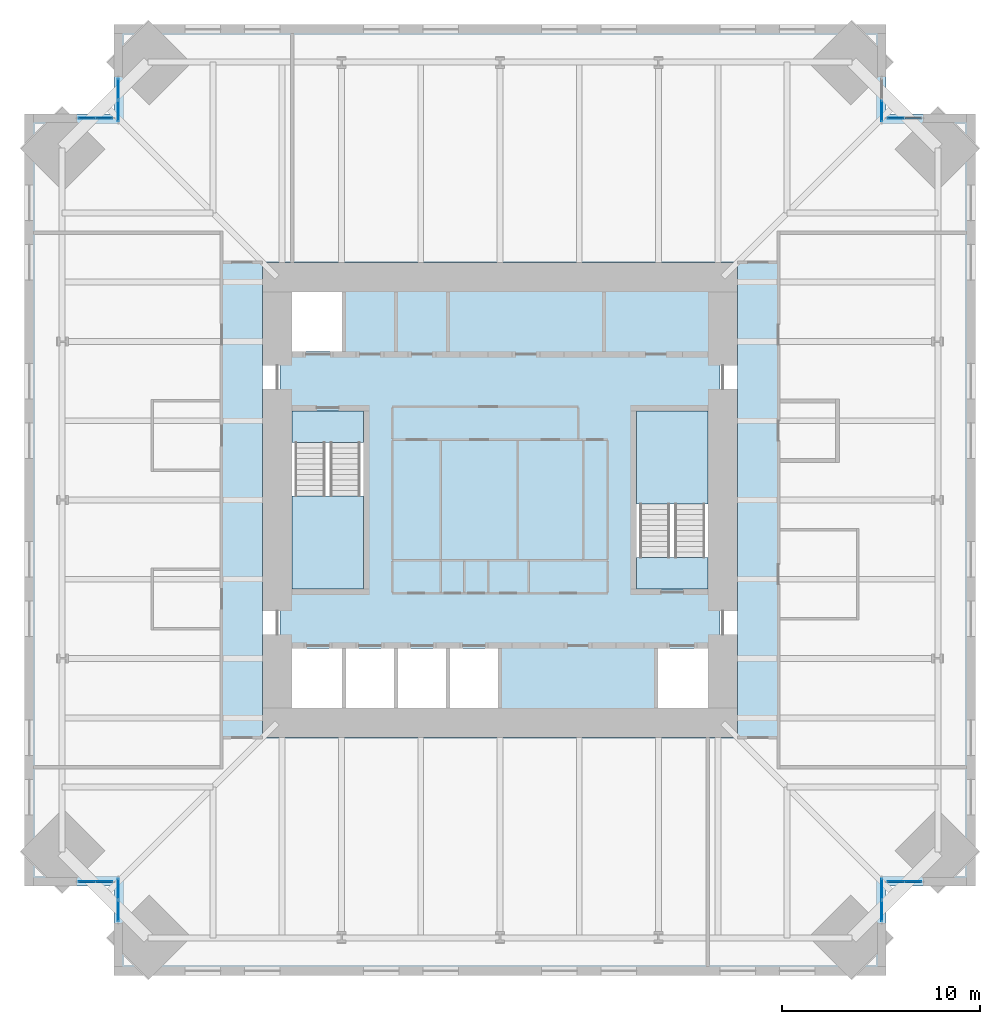
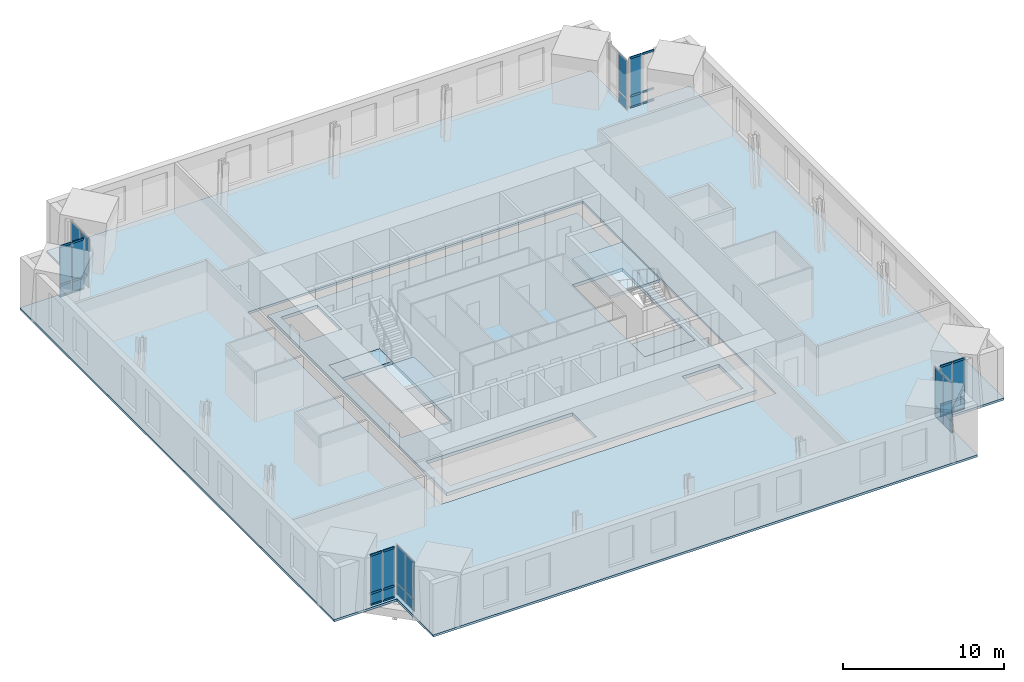
# One storey, part 9 of 15: 28 plates, 24 members, 6 slabs, 10 elements without a shape of their own.
"""IFC4 building model written with IfcOpenShell, lengths in metres."""

from ifc_helpers import new_model, si_unit, direction, frame, origin, origin_2d, place, context, subcontext, project, spatial, polyline, rectangle, hollow_rectangle, outline, extrude, material, layer, layer_set, material_profile, profile_set, type_object, element, aggregate, save


model = new_model("IFC4")

# Units and contexts
model_context = context("Model", 3, precision=1e-05, world=origin(), true_north=direction((0.0, 1.0)))
body_context = subcontext(model_context, "Body", "Model", "MODEL_VIEW")
ifc_project = project(units=[si_unit("LENGTHUNIT", "METRE"), si_unit("AREAUNIT", "SQUARE_METRE"), si_unit("VOLUMEUNIT", "CUBIC_METRE"), si_unit("PLANEANGLEUNIT", "RADIAN"), si_unit("MASSUNIT", "GRAM", prefix="KILO")], contexts=[model_context])

# Site, building, storey
site_placement = place(None, origin())
site = spatial("IfcSite", under=ifc_project, at=site_placement, CompositionType="ELEMENT")
building_placement = place(site_placement, origin())
building = spatial("IfcBuilding", under=site, at=building_placement, Name="Peilmerk Tower", CompositionType="ELEMENT")
storey_placement = place(building_placement, frame((0.0, 0.0, 217.800048828125)))
storey = spatial("IfcBuildingStorey", under=building, at=storey_placement, Name="L47", CompositionType="ELEMENT", Elevation=217.800048828125)

# Curtain wall, members
ifc_material_1 = material(Name="Aluminium stick curtain wall", Category="aluminium")
curtain_wall_type = type_object("IfcCurtainWallType", Name="CW4 stick curtain wall, 2250 module", PredefinedType="NOTDEFINED", material=ifc_material_1)
curtain_wall_1_placement = place(storey_placement, origin())
curtain_wall_1 = element("IfcCurtainWall", 1, at=curtain_wall_1_placement, inside=storey, type_object=curtain_wall_type, Name="Curtain wall CW4 NEB L47", PredefinedType="NOTDEFINED")
ifc_material_2 = material(Name="Aluminium EN AW-6063 T6", Category="aluminium")
ifc_material_profile = material_profile(ifc_material_2, hollow_rectangle(XDim=0.06494140625, YDim=0.14990234375, WallThickness=0.0029296875, at=origin_2d()), Name="AL 150x65x3")
ifc_profile_set = profile_set([ifc_material_profile], Name="Aluminium EN AW-6063 T6")
member_type = type_object("IfcMemberType", Name="CW4-T AL 150x65x3 transom", PredefinedType="USERDEFINED", material=ifc_profile_set)
member_1_placement = place(storey_placement, frame((19.56494140625, 19.27490234375, 0.032470703125), z_axis=(1.0, 0.0, 0.0), x_axis=(0.0, 1.0, 0.0)))
member_1 = element("IfcMember", 2, at=member_1_placement, type_object=member_type, Name="CW4 transom 1.1", ObjectType="TRANSOM", PredefinedType="USERDEFINED", context=body_context, shape_type="SweptSolid", body=[
    extrude(hollow_rectangle(XDim=0.06494140625, YDim=0.14990234375, WallThickness=0.0029296875, at=origin_2d()), origin(), (0.0, 0.0, 1.0), 0.82177734375),
])
member_2_placement = place(storey_placement, frame((19.56494140625, 19.27490234375, 0.89990234375), z_axis=(1.0, 0.0, 0.0), x_axis=(0.0, 1.0, 0.0)))
member_2 = element("IfcMember", 3, at=member_2_placement, type_object=member_type, Name="CW4 transom 1.2", ObjectType="TRANSOM", PredefinedType="USERDEFINED", context=body_context, shape_type="SweptSolid", body=[
    extrude(hollow_rectangle(XDim=0.06494140625, YDim=0.14990234375, WallThickness=0.0029296875, at=origin_2d()), origin(), (0.0, 0.0, 1.0), 0.82177734375),
])
member_3_placement = place(storey_placement, frame((19.56494140625, 19.27490234375, 3.79736328125), z_axis=(1.0, 0.0, 0.0), x_axis=(0.0, 1.0, 0.0)))
member_3 = element("IfcMember", 4, at=member_3_placement, type_object=member_type, Name="CW4 transom 1.3", ObjectType="TRANSOM", PredefinedType="USERDEFINED", context=body_context, shape_type="SweptSolid", body=[
    extrude(hollow_rectangle(XDim=0.06494140625, YDim=0.14990234375, WallThickness=0.0029296875, at=origin_2d()), origin(), (0.0, 0.0, 1.0), 0.82177734375),
])
member_4_placement = place(storey_placement, frame((20.451904296875, 19.27490234375, 0.032470703125), z_axis=(1.0, 0.0, 0.0), x_axis=(0.0, 1.0, 0.0)))
member_4 = element("IfcMember", 5, at=member_4_placement, type_object=member_type, Name="CW4 transom 2.1", ObjectType="TRANSOM", PredefinedType="USERDEFINED", context=body_context, shape_type="SweptSolid", body=[
    extrude(hollow_rectangle(XDim=0.06494140625, YDim=0.14990234375, WallThickness=0.0029296875, at=origin_2d()), origin(), (0.0, 0.0, 1.0), 0.82177734375),
])
member_5_placement = place(storey_placement, frame((20.451904296875, 19.27490234375, 0.89990234375), z_axis=(1.0, 0.0, 0.0), x_axis=(0.0, 1.0, 0.0)))
member_5 = element("IfcMember", 6, at=member_5_placement, type_object=member_type, Name="CW4 transom 2.2", ObjectType="TRANSOM", PredefinedType="USERDEFINED", context=body_context, shape_type="SweptSolid", body=[
    extrude(hollow_rectangle(XDim=0.06494140625, YDim=0.14990234375, WallThickness=0.0029296875, at=origin_2d()), origin(), (0.0, 0.0, 1.0), 0.82177734375),
])
member_6_placement = place(storey_placement, frame((20.451904296875, 19.27490234375, 3.79736328125), z_axis=(1.0, 0.0, 0.0), x_axis=(0.0, 1.0, 0.0)))
member_6 = element("IfcMember", 7, at=member_6_placement, type_object=member_type, Name="CW4 transom 2.3", ObjectType="TRANSOM", PredefinedType="USERDEFINED", context=body_context, shape_type="SweptSolid", body=[
    extrude(hollow_rectangle(XDim=0.06494140625, YDim=0.14990234375, WallThickness=0.0029296875, at=origin_2d()), origin(), (0.0, 0.0, 1.0), 0.82177734375),
])

curtain_wall_2_placement = place(storey_placement, origin())
curtain_wall_2 = element("IfcCurtainWall", 8, at=curtain_wall_2_placement, inside=storey, type_object=curtain_wall_type, Name="Curtain wall CW4 SEB L47", PredefinedType="NOTDEFINED")
member_7_placement = place(storey_placement, frame((19.56494140625, -19.27490234375, 0.032470703125), z_axis=(1.0, 0.0, 0.0), x_axis=(0.0, 1.0, 0.0)))
member_7 = element("IfcMember", 9, at=member_7_placement, type_object=member_type, Name="CW4 transom 1.1", ObjectType="TRANSOM", PredefinedType="USERDEFINED", context=body_context, shape_type="SweptSolid", body=[
    extrude(hollow_rectangle(XDim=0.06494140625, YDim=0.14990234375, WallThickness=0.0029296875, at=origin_2d()), origin(), (0.0, 0.0, 1.0), 0.82177734375),
])
member_8_placement = place(storey_placement, frame((19.56494140625, -19.27490234375, 0.89990234375), z_axis=(1.0, 0.0, 0.0), x_axis=(0.0, 1.0, 0.0)))
member_8 = element("IfcMember", 10, at=member_8_placement, type_object=member_type, Name="CW4 transom 1.2", ObjectType="TRANSOM", PredefinedType="USERDEFINED", context=body_context, shape_type="SweptSolid", body=[
    extrude(hollow_rectangle(XDim=0.06494140625, YDim=0.14990234375, WallThickness=0.0029296875, at=origin_2d()), origin(), (0.0, 0.0, 1.0), 0.82177734375),
])
member_9_placement = place(storey_placement, frame((19.56494140625, -19.27490234375, 3.79736328125), z_axis=(1.0, 0.0, 0.0), x_axis=(0.0, 1.0, 0.0)))
member_9 = element("IfcMember", 11, at=member_9_placement, type_object=member_type, Name="CW4 transom 1.3", ObjectType="TRANSOM", PredefinedType="USERDEFINED", context=body_context, shape_type="SweptSolid", body=[
    extrude(hollow_rectangle(XDim=0.06494140625, YDim=0.14990234375, WallThickness=0.0029296875, at=origin_2d()), origin(), (0.0, 0.0, 1.0), 0.82177734375),
])
member_10_placement = place(storey_placement, frame((20.451904296875, -19.27490234375, 0.032470703125), z_axis=(1.0, 0.0, 0.0), x_axis=(0.0, 1.0, 0.0)))
member_10 = element("IfcMember", 12, at=member_10_placement, type_object=member_type, Name="CW4 transom 2.1", ObjectType="TRANSOM", PredefinedType="USERDEFINED", context=body_context, shape_type="SweptSolid", body=[
    extrude(hollow_rectangle(XDim=0.06494140625, YDim=0.14990234375, WallThickness=0.0029296875, at=origin_2d()), origin(), (0.0, 0.0, 1.0), 0.82177734375),
])
member_11_placement = place(storey_placement, frame((20.451904296875, -19.27490234375, 0.89990234375), z_axis=(1.0, 0.0, 0.0), x_axis=(0.0, 1.0, 0.0)))
member_11 = element("IfcMember", 13, at=member_11_placement, type_object=member_type, Name="CW4 transom 2.2", ObjectType="TRANSOM", PredefinedType="USERDEFINED", context=body_context, shape_type="SweptSolid", body=[
    extrude(hollow_rectangle(XDim=0.06494140625, YDim=0.14990234375, WallThickness=0.0029296875, at=origin_2d()), origin(), (0.0, 0.0, 1.0), 0.82177734375),
])
member_12_placement = place(storey_placement, frame((20.451904296875, -19.27490234375, 3.79736328125), z_axis=(1.0, 0.0, 0.0), x_axis=(0.0, 1.0, 0.0)))
member_12 = element("IfcMember", 14, at=member_12_placement, type_object=member_type, Name="CW4 transom 2.3", ObjectType="TRANSOM", PredefinedType="USERDEFINED", context=body_context, shape_type="SweptSolid", body=[
    extrude(hollow_rectangle(XDim=0.06494140625, YDim=0.14990234375, WallThickness=0.0029296875, at=origin_2d()), origin(), (0.0, 0.0, 1.0), 0.82177734375),
])

curtain_wall_3_placement = place(storey_placement, origin())
curtain_wall_3 = element("IfcCurtainWall", 15, at=curtain_wall_3_placement, inside=storey, type_object=curtain_wall_type, Name="Curtain wall CW4 SWB L47", PredefinedType="NOTDEFINED")
member_13_placement = place(storey_placement, frame((-19.56494140625, -19.27490234375, 0.032470703125), z_axis=(-1.0, 0.0, 0.0), x_axis=(0.0, -1.0, 0.0)))
member_13 = element("IfcMember", 16, at=member_13_placement, type_object=member_type, Name="CW4 transom 1.1", ObjectType="TRANSOM", PredefinedType="USERDEFINED", context=body_context, shape_type="SweptSolid", body=[
    extrude(hollow_rectangle(XDim=0.06494140625, YDim=0.14990234375, WallThickness=0.0029296875, at=origin_2d()), origin(), (0.0, 0.0, 1.0), 0.82177734375),
])
member_14_placement = place(storey_placement, frame((-19.56494140625, -19.27490234375, 0.89990234375), z_axis=(-1.0, 0.0, 0.0), x_axis=(0.0, -1.0, 0.0)))
member_14 = element("IfcMember", 17, at=member_14_placement, type_object=member_type, Name="CW4 transom 1.2", ObjectType="TRANSOM", PredefinedType="USERDEFINED", context=body_context, shape_type="SweptSolid", body=[
    extrude(hollow_rectangle(XDim=0.06494140625, YDim=0.14990234375, WallThickness=0.0029296875, at=origin_2d()), origin(), (0.0, 0.0, 1.0), 0.82177734375),
])
member_15_placement = place(storey_placement, frame((-19.56494140625, -19.27490234375, 3.79736328125), z_axis=(-1.0, 0.0, 0.0), x_axis=(0.0, -1.0, 0.0)))
member_15 = element("IfcMember", 18, at=member_15_placement, type_object=member_type, Name="CW4 transom 1.3", ObjectType="TRANSOM", PredefinedType="USERDEFINED", context=body_context, shape_type="SweptSolid", body=[
    extrude(hollow_rectangle(XDim=0.06494140625, YDim=0.14990234375, WallThickness=0.0029296875, at=origin_2d()), origin(), (0.0, 0.0, 1.0), 0.82177734375),
])
member_16_placement = place(storey_placement, frame((-20.451904296875, -19.27490234375, 0.032470703125), z_axis=(-1.0, 0.0, 0.0), x_axis=(0.0, -1.0, 0.0)))
member_16 = element("IfcMember", 19, at=member_16_placement, type_object=member_type, Name="CW4 transom 2.1", ObjectType="TRANSOM", PredefinedType="USERDEFINED", context=body_context, shape_type="SweptSolid", body=[
    extrude(hollow_rectangle(XDim=0.06494140625, YDim=0.14990234375, WallThickness=0.0029296875, at=origin_2d()), origin(), (0.0, 0.0, 1.0), 0.82177734375),
])
member_17_placement = place(storey_placement, frame((-20.451904296875, -19.27490234375, 0.89990234375), z_axis=(-1.0, 0.0, 0.0), x_axis=(0.0, -1.0, 0.0)))
member_17 = element("IfcMember", 20, at=member_17_placement, type_object=member_type, Name="CW4 transom 2.2", ObjectType="TRANSOM", PredefinedType="USERDEFINED", context=body_context, shape_type="SweptSolid", body=[
    extrude(hollow_rectangle(XDim=0.06494140625, YDim=0.14990234375, WallThickness=0.0029296875, at=origin_2d()), origin(), (0.0, 0.0, 1.0), 0.82177734375),
])
member_18_placement = place(storey_placement, frame((-20.451904296875, -19.27490234375, 3.79736328125), z_axis=(-1.0, 0.0, 0.0), x_axis=(0.0, -1.0, 0.0)))
member_18 = element("IfcMember", 21, at=member_18_placement, type_object=member_type, Name="CW4 transom 2.3", ObjectType="TRANSOM", PredefinedType="USERDEFINED", context=body_context, shape_type="SweptSolid", body=[
    extrude(hollow_rectangle(XDim=0.06494140625, YDim=0.14990234375, WallThickness=0.0029296875, at=origin_2d()), origin(), (0.0, 0.0, 1.0), 0.82177734375),
])

curtain_wall_4_placement = place(storey_placement, origin())
curtain_wall_4 = element("IfcCurtainWall", 22, at=curtain_wall_4_placement, inside=storey, type_object=curtain_wall_type, Name="Curtain wall CW4 NWB L47", PredefinedType="NOTDEFINED")
member_19_placement = place(storey_placement, frame((-19.56494140625, 19.27490234375, 0.032470703125), z_axis=(-1.0, 0.0, 0.0), x_axis=(0.0, -1.0, 0.0)))
member_19 = element("IfcMember", 23, at=member_19_placement, type_object=member_type, Name="CW4 transom 1.1", ObjectType="TRANSOM", PredefinedType="USERDEFINED", context=body_context, shape_type="SweptSolid", body=[
    extrude(hollow_rectangle(XDim=0.06494140625, YDim=0.14990234375, WallThickness=0.0029296875, at=origin_2d()), origin(), (0.0, 0.0, 1.0), 0.82177734375),
])
member_20_placement = place(storey_placement, frame((-19.56494140625, 19.27490234375, 0.89990234375), z_axis=(-1.0, 0.0, 0.0), x_axis=(0.0, -1.0, 0.0)))
member_20 = element("IfcMember", 24, at=member_20_placement, type_object=member_type, Name="CW4 transom 1.2", ObjectType="TRANSOM", PredefinedType="USERDEFINED", context=body_context, shape_type="SweptSolid", body=[
    extrude(hollow_rectangle(XDim=0.06494140625, YDim=0.14990234375, WallThickness=0.0029296875, at=origin_2d()), origin(), (0.0, 0.0, 1.0), 0.82177734375),
])
member_21_placement = place(storey_placement, frame((-19.56494140625, 19.27490234375, 3.79736328125), z_axis=(-1.0, 0.0, 0.0), x_axis=(0.0, -1.0, 0.0)))
member_21 = element("IfcMember", 25, at=member_21_placement, type_object=member_type, Name="CW4 transom 1.3", ObjectType="TRANSOM", PredefinedType="USERDEFINED", context=body_context, shape_type="SweptSolid", body=[
    extrude(hollow_rectangle(XDim=0.06494140625, YDim=0.14990234375, WallThickness=0.0029296875, at=origin_2d()), origin(), (0.0, 0.0, 1.0), 0.82177734375),
])
member_22_placement = place(storey_placement, frame((-20.451904296875, 19.27490234375, 0.032470703125), z_axis=(-1.0, 0.0, 0.0), x_axis=(0.0, -1.0, 0.0)))
member_22 = element("IfcMember", 26, at=member_22_placement, type_object=member_type, Name="CW4 transom 2.1", ObjectType="TRANSOM", PredefinedType="USERDEFINED", context=body_context, shape_type="SweptSolid", body=[
    extrude(hollow_rectangle(XDim=0.06494140625, YDim=0.14990234375, WallThickness=0.0029296875, at=origin_2d()), origin(), (0.0, 0.0, 1.0), 0.82177734375),
])
member_23_placement = place(storey_placement, frame((-20.451904296875, 19.27490234375, 0.89990234375), z_axis=(-1.0, 0.0, 0.0), x_axis=(0.0, -1.0, 0.0)))
member_23 = element("IfcMember", 27, at=member_23_placement, type_object=member_type, Name="CW4 transom 2.2", ObjectType="TRANSOM", PredefinedType="USERDEFINED", context=body_context, shape_type="SweptSolid", body=[
    extrude(hollow_rectangle(XDim=0.06494140625, YDim=0.14990234375, WallThickness=0.0029296875, at=origin_2d()), origin(), (0.0, 0.0, 1.0), 0.82177734375),
])
member_24_placement = place(storey_placement, frame((-20.451904296875, 19.27490234375, 3.79736328125), z_axis=(-1.0, 0.0, 0.0), x_axis=(0.0, -1.0, 0.0)))
member_24 = element("IfcMember", 28, at=member_24_placement, type_object=member_type, Name="CW4 transom 2.3", ObjectType="TRANSOM", PredefinedType="USERDEFINED", context=body_context, shape_type="SweptSolid", body=[
    extrude(hollow_rectangle(XDim=0.06494140625, YDim=0.14990234375, WallThickness=0.0029296875, at=origin_2d()), origin(), (0.0, 0.0, 1.0), 0.82177734375),
])

# Slab
ifc_material_3 = material(Name="Concrete C55/67", Category="concrete")
ifc_layer_1 = layer(ifc_material_3, 0.25)
ifc_layer_set_1 = layer_set([ifc_layer_1], Name="Concrete C55/67")
slab_type_1 = type_object("IfcSlabType", Name="CS250 250 core floor slab", PredefinedType="FLOOR", material=ifc_layer_set_1)
slab_1_placement = place(storey_placement, frame((0.0, 0.0, -0.25)))
element("IfcSlab", 29, at=slab_1_placement, inside=storey, type_object=slab_type_1, Name="Core slab L47", PredefinedType="FLOOR", context=body_context, shape_type="SweptSolid", body=[
    extrude(outline(polyline([(11.10009765625, -11.10009765625), (11.10009765625, 11.10009765625), (-11.10009765625, 11.10009765625), (-11.10009765625, -11.10009765625), (11.10009765625, -11.10009765625)]), holes=[polyline([(-7.875, 7.5), (-10.5, 7.5), (-10.5, 10.5), (-7.875, 10.5), (-7.875, 7.5)]), polyline([(0.0, -10.5), (-10.5, -10.5), (-10.5, -7.5), (0.0, -7.5), (0.0, -10.5)]), polyline([(7.875, -10.5), (7.875, -7.5), (10.5, -7.5), (10.5, -10.5), (7.875, -10.5)]), polyline([(-10.5, 4.5), (-6.89990234375, 4.5), (-6.89990234375, -4.5), (-10.5, -4.5), (-10.5, 4.5)]), polyline([(10.5, 4.5), (10.5, -4.5), (6.89990234375, -4.5), (6.89990234375, 4.5), (10.5, 4.5)])]), origin(), (0.0, 0.0, 1.0), 0.25),
])

# Curtain wall, plates
curtain_wall_5_placement = place(storey_placement, origin())
curtain_wall_5 = element("IfcCurtainWall", 30, at=curtain_wall_5_placement, inside=storey, type_object=curtain_wall_type, Name="Curtain wall CW4 NEA L47", PredefinedType="NOTDEFINED")
ifc_material_4 = material(Name="Clear insulated glazing unit", Category="glass")
ifc_layer_2 = layer(ifc_material_4, 0.028076171875)
ifc_layer_set_2 = layer_set([ifc_layer_2], Name="Clear insulated glazing unit")
plate_type = type_object("IfcPlateType", Name="CW4-P 28 glazed panel", PredefinedType="CURTAIN_PANEL", material=ifc_layer_set_2)
plate_1_placement = place(storey_placement, frame((19.27490234375, 19.638427734375, 0.06494140625), z_axis=(0.0, 0.0, 1.0), x_axis=(0.0, 1.0, 0.0)))
plate_1 = element("IfcPlate", 31, at=plate_1_placement, type_object=plate_type, Name="CW4 panel 1.1", PredefinedType="CURTAIN_PANEL", context=body_context, shape_type="SweptSolid", body=[
    extrude(rectangle(XDim=1.046875, YDim=0.028076171875, at=origin_2d()), origin(), (0.0, 0.0, 1.0), 0.802490234375),
])
plate_2_placement = place(storey_placement, frame((19.27490234375, 19.638427734375, 0.932373046875), z_axis=(0.0, 0.0, 1.0), x_axis=(0.0, 1.0, 0.0)))
plate_2 = element("IfcPlate", 32, at=plate_2_placement, type_object=plate_type, Name="CW4 panel 1.2", PredefinedType="CURTAIN_PANEL", context=body_context, shape_type="SweptSolid", body=[
    extrude(rectangle(XDim=1.046875, YDim=0.028076171875, at=origin_2d()), origin(), (0.0, 0.0, 1.0), 2.83251953125),
])
aggregate(curtain_wall_5, [plate_1, plate_2])

# Plate
plate_3_placement = place(storey_placement, frame((19.975830078125, 19.27490234375, 0.06494140625), z_axis=(0.0, 0.0, 1.0), x_axis=(1.0, 0.0, 0.0)))
plate_3 = element("IfcPlate", 33, at=plate_3_placement, type_object=plate_type, Name="CW4 panel 1.1", PredefinedType="CURTAIN_PANEL", context=body_context, shape_type="SweptSolid", body=[
    extrude(rectangle(XDim=0.82177734375, YDim=0.028076171875, at=origin_2d()), origin(), (0.0, 0.0, 1.0), 0.802490234375),
])

plate_4_placement = place(storey_placement, frame((19.975830078125, 19.27490234375, 0.932373046875), z_axis=(0.0, 0.0, 1.0), x_axis=(1.0, 0.0, 0.0)))
plate_4 = element("IfcPlate", 34, at=plate_4_placement, type_object=plate_type, Name="CW4 panel 1.2", PredefinedType="CURTAIN_PANEL", context=body_context, shape_type="SweptSolid", body=[
    extrude(rectangle(XDim=0.82177734375, YDim=0.028076171875, at=origin_2d()), origin(), (0.0, 0.0, 1.0), 2.83251953125),
])

aggregate(curtain_wall_1, [member_1, member_2, member_3, plate_3, plate_4, member_4, member_5, member_6])

# Curtain wall, plates
curtain_wall_6_placement = place(storey_placement, origin())
curtain_wall_6 = element("IfcCurtainWall", 35, at=curtain_wall_6_placement, inside=storey, type_object=curtain_wall_type, Name="Curtain wall CW4 SEA L47", PredefinedType="NOTDEFINED")
plate_5_placement = place(storey_placement, frame((19.27490234375, -19.638427734375, 0.06494140625), z_axis=(0.0, 0.0, 1.0), x_axis=(0.0, -1.0, 0.0)))
plate_5 = element("IfcPlate", 36, at=plate_5_placement, type_object=plate_type, Name="CW4 panel 1.1", PredefinedType="CURTAIN_PANEL", context=body_context, shape_type="SweptSolid", body=[
    extrude(rectangle(XDim=1.046875, YDim=0.028076171875, at=origin_2d()), origin(), (0.0, 0.0, 1.0), 0.802490234375),
])
plate_6_placement = place(storey_placement, frame((19.27490234375, -19.638427734375, 0.932373046875), z_axis=(0.0, 0.0, 1.0), x_axis=(0.0, -1.0, 0.0)))
plate_6 = element("IfcPlate", 37, at=plate_6_placement, type_object=plate_type, Name="CW4 panel 1.2", PredefinedType="CURTAIN_PANEL", context=body_context, shape_type="SweptSolid", body=[
    extrude(rectangle(XDim=1.046875, YDim=0.028076171875, at=origin_2d()), origin(), (0.0, 0.0, 1.0), 2.83251953125),
])
plate_7_placement = place(storey_placement, frame((19.27490234375, -20.750244140625, 0.06494140625), z_axis=(0.0, 0.0, 1.0), x_axis=(0.0, -1.0, 0.0)))
plate_7 = element("IfcPlate", 38, at=plate_7_placement, type_object=plate_type, Name="CW4 panel 2.1", PredefinedType="CURTAIN_PANEL", context=body_context, shape_type="SweptSolid", body=[
    extrude(rectangle(XDim=1.046875, YDim=0.028076171875, at=origin_2d()), origin(), (0.0, 0.0, 1.0), 0.802490234375),
])
plate_8_placement = place(storey_placement, frame((19.27490234375, -20.750244140625, 0.932373046875), z_axis=(0.0, 0.0, 1.0), x_axis=(0.0, -1.0, 0.0)))
plate_8 = element("IfcPlate", 39, at=plate_8_placement, type_object=plate_type, Name="CW4 panel 2.2", PredefinedType="CURTAIN_PANEL", context=body_context, shape_type="SweptSolid", body=[
    extrude(rectangle(XDim=1.046875, YDim=0.028076171875, at=origin_2d()), origin(), (0.0, 0.0, 1.0), 2.83251953125),
])
aggregate(curtain_wall_6, [plate_5, plate_6, plate_7, plate_8])

# Plate
plate_9_placement = place(storey_placement, frame((19.975830078125, -19.27490234375, 0.06494140625), z_axis=(0.0, 0.0, 1.0), x_axis=(1.0, 0.0, 0.0)))
plate_9 = element("IfcPlate", 40, at=plate_9_placement, type_object=plate_type, Name="CW4 panel 1.1", PredefinedType="CURTAIN_PANEL", context=body_context, shape_type="SweptSolid", body=[
    extrude(rectangle(XDim=0.82177734375, YDim=0.028076171875, at=origin_2d()), origin(), (0.0, 0.0, 1.0), 0.802490234375),
])

plate_10_placement = place(storey_placement, frame((19.975830078125, -19.27490234375, 0.932373046875), z_axis=(0.0, 0.0, 1.0), x_axis=(1.0, 0.0, 0.0)))
plate_10 = element("IfcPlate", 41, at=plate_10_placement, type_object=plate_type, Name="CW4 panel 1.2", PredefinedType="CURTAIN_PANEL", context=body_context, shape_type="SweptSolid", body=[
    extrude(rectangle(XDim=0.82177734375, YDim=0.028076171875, at=origin_2d()), origin(), (0.0, 0.0, 1.0), 2.83251953125),
])

plate_11_placement = place(storey_placement, frame((20.86279296875, -19.27490234375, 0.06494140625), z_axis=(0.0, 0.0, 1.0), x_axis=(1.0, 0.0, 0.0)))
plate_11 = element("IfcPlate", 42, at=plate_11_placement, type_object=plate_type, Name="CW4 panel 2.1", PredefinedType="CURTAIN_PANEL", context=body_context, shape_type="SweptSolid", body=[
    extrude(rectangle(XDim=0.82177734375, YDim=0.028076171875, at=origin_2d()), origin(), (0.0, 0.0, 1.0), 0.802490234375),
])

plate_12_placement = place(storey_placement, frame((20.86279296875, -19.27490234375, 0.932373046875), z_axis=(0.0, 0.0, 1.0), x_axis=(1.0, 0.0, 0.0)))
plate_12 = element("IfcPlate", 43, at=plate_12_placement, type_object=plate_type, Name="CW4 panel 2.2", PredefinedType="CURTAIN_PANEL", context=body_context, shape_type="SweptSolid", body=[
    extrude(rectangle(XDim=0.82177734375, YDim=0.028076171875, at=origin_2d()), origin(), (0.0, 0.0, 1.0), 2.83251953125),
])

aggregate(curtain_wall_2, [member_7, member_8, member_9, plate_9, plate_10, member_10, member_11, member_12, plate_11, plate_12])

# Curtain wall, plates
curtain_wall_7_placement = place(storey_placement, origin())
curtain_wall_7 = element("IfcCurtainWall", 44, at=curtain_wall_7_placement, inside=storey, type_object=curtain_wall_type, Name="Curtain wall CW4 SWA L47", PredefinedType="NOTDEFINED")
plate_13_placement = place(storey_placement, frame((-19.27490234375, -19.638427734375, 0.06494140625), z_axis=(0.0, 0.0, 1.0), x_axis=(0.0, -1.0, 0.0)))
plate_13 = element("IfcPlate", 45, at=plate_13_placement, type_object=plate_type, Name="CW4 panel 1.1", PredefinedType="CURTAIN_PANEL", context=body_context, shape_type="SweptSolid", body=[
    extrude(rectangle(XDim=1.046875, YDim=0.028076171875, at=origin_2d()), origin(), (0.0, 0.0, 1.0), 0.802490234375),
])
plate_14_placement = place(storey_placement, frame((-19.27490234375, -19.638427734375, 0.932373046875), z_axis=(0.0, 0.0, 1.0), x_axis=(0.0, -1.0, 0.0)))
plate_14 = element("IfcPlate", 46, at=plate_14_placement, type_object=plate_type, Name="CW4 panel 1.2", PredefinedType="CURTAIN_PANEL", context=body_context, shape_type="SweptSolid", body=[
    extrude(rectangle(XDim=1.046875, YDim=0.028076171875, at=origin_2d()), origin(), (0.0, 0.0, 1.0), 2.83251953125),
])
plate_15_placement = place(storey_placement, frame((-19.27490234375, -20.750244140625, 0.06494140625), z_axis=(0.0, 0.0, 1.0), x_axis=(0.0, -1.0, 0.0)))
plate_15 = element("IfcPlate", 47, at=plate_15_placement, type_object=plate_type, Name="CW4 panel 2.1", PredefinedType="CURTAIN_PANEL", context=body_context, shape_type="SweptSolid", body=[
    extrude(rectangle(XDim=1.046875, YDim=0.028076171875, at=origin_2d()), origin(), (0.0, 0.0, 1.0), 0.802490234375),
])
plate_16_placement = place(storey_placement, frame((-19.27490234375, -20.750244140625, 0.932373046875), z_axis=(0.0, 0.0, 1.0), x_axis=(0.0, -1.0, 0.0)))
plate_16 = element("IfcPlate", 48, at=plate_16_placement, type_object=plate_type, Name="CW4 panel 2.2", PredefinedType="CURTAIN_PANEL", context=body_context, shape_type="SweptSolid", body=[
    extrude(rectangle(XDim=1.046875, YDim=0.028076171875, at=origin_2d()), origin(), (0.0, 0.0, 1.0), 2.83251953125),
])
aggregate(curtain_wall_7, [plate_13, plate_14, plate_15, plate_16])

# Plate
plate_17_placement = place(storey_placement, frame((-19.975830078125, -19.27490234375, 0.06494140625), z_axis=(0.0, 0.0, 1.0), x_axis=(-1.0, 0.0, 0.0)))
plate_17 = element("IfcPlate", 49, at=plate_17_placement, type_object=plate_type, Name="CW4 panel 1.1", PredefinedType="CURTAIN_PANEL", context=body_context, shape_type="SweptSolid", body=[
    extrude(rectangle(XDim=0.82177734375, YDim=0.028076171875, at=origin_2d()), origin(), (0.0, 0.0, 1.0), 0.802490234375),
])

plate_18_placement = place(storey_placement, frame((-19.975830078125, -19.27490234375, 0.932373046875), z_axis=(0.0, 0.0, 1.0), x_axis=(-1.0, 0.0, 0.0)))
plate_18 = element("IfcPlate", 50, at=plate_18_placement, type_object=plate_type, Name="CW4 panel 1.2", PredefinedType="CURTAIN_PANEL", context=body_context, shape_type="SweptSolid", body=[
    extrude(rectangle(XDim=0.82177734375, YDim=0.028076171875, at=origin_2d()), origin(), (0.0, 0.0, 1.0), 2.83251953125),
])

plate_19_placement = place(storey_placement, frame((-20.86279296875, -19.27490234375, 0.06494140625), z_axis=(0.0, 0.0, 1.0), x_axis=(-1.0, 0.0, 0.0)))
plate_19 = element("IfcPlate", 51, at=plate_19_placement, type_object=plate_type, Name="CW4 panel 2.1", PredefinedType="CURTAIN_PANEL", context=body_context, shape_type="SweptSolid", body=[
    extrude(rectangle(XDim=0.82177734375, YDim=0.028076171875, at=origin_2d()), origin(), (0.0, 0.0, 1.0), 0.802490234375),
])

plate_20_placement = place(storey_placement, frame((-20.86279296875, -19.27490234375, 0.932373046875), z_axis=(0.0, 0.0, 1.0), x_axis=(-1.0, 0.0, 0.0)))
plate_20 = element("IfcPlate", 52, at=plate_20_placement, type_object=plate_type, Name="CW4 panel 2.2", PredefinedType="CURTAIN_PANEL", context=body_context, shape_type="SweptSolid", body=[
    extrude(rectangle(XDim=0.82177734375, YDim=0.028076171875, at=origin_2d()), origin(), (0.0, 0.0, 1.0), 2.83251953125),
])

aggregate(curtain_wall_3, [member_13, member_14, member_15, plate_17, plate_18, member_16, member_17, member_18, plate_19, plate_20])

# Curtain wall, plates
curtain_wall_8_placement = place(storey_placement, origin())
curtain_wall_8 = element("IfcCurtainWall", 53, at=curtain_wall_8_placement, inside=storey, type_object=curtain_wall_type, Name="Curtain wall CW4 NWA L47", PredefinedType="NOTDEFINED")
plate_21_placement = place(storey_placement, frame((-19.27490234375, 19.638427734375, 0.06494140625), z_axis=(0.0, 0.0, 1.0), x_axis=(0.0, 1.0, 0.0)))
plate_21 = element("IfcPlate", 54, at=plate_21_placement, type_object=plate_type, Name="CW4 panel 1.1", PredefinedType="CURTAIN_PANEL", context=body_context, shape_type="SweptSolid", body=[
    extrude(rectangle(XDim=1.046875, YDim=0.028076171875, at=origin_2d()), origin(), (0.0, 0.0, 1.0), 0.802490234375),
])
plate_22_placement = place(storey_placement, frame((-19.27490234375, 19.638427734375, 0.932373046875), z_axis=(0.0, 0.0, 1.0), x_axis=(0.0, 1.0, 0.0)))
plate_22 = element("IfcPlate", 55, at=plate_22_placement, type_object=plate_type, Name="CW4 panel 1.2", PredefinedType="CURTAIN_PANEL", context=body_context, shape_type="SweptSolid", body=[
    extrude(rectangle(XDim=1.046875, YDim=0.028076171875, at=origin_2d()), origin(), (0.0, 0.0, 1.0), 2.83251953125),
])
plate_23_placement = place(storey_placement, frame((-19.27490234375, 20.750244140625, 0.06494140625), z_axis=(0.0, 0.0, 1.0), x_axis=(0.0, 1.0, 0.0)))
plate_23 = element("IfcPlate", 56, at=plate_23_placement, type_object=plate_type, Name="CW4 panel 2.1", PredefinedType="CURTAIN_PANEL", context=body_context, shape_type="SweptSolid", body=[
    extrude(rectangle(XDim=1.046875, YDim=0.028076171875, at=origin_2d()), origin(), (0.0, 0.0, 1.0), 0.802490234375),
])
plate_24_placement = place(storey_placement, frame((-19.27490234375, 20.750244140625, 0.932373046875), z_axis=(0.0, 0.0, 1.0), x_axis=(0.0, 1.0, 0.0)))
plate_24 = element("IfcPlate", 57, at=plate_24_placement, type_object=plate_type, Name="CW4 panel 2.2", PredefinedType="CURTAIN_PANEL", context=body_context, shape_type="SweptSolid", body=[
    extrude(rectangle(XDim=1.046875, YDim=0.028076171875, at=origin_2d()), origin(), (0.0, 0.0, 1.0), 2.83251953125),
])
aggregate(curtain_wall_8, [plate_21, plate_22, plate_23, plate_24])

# Plate
plate_25_placement = place(storey_placement, frame((-19.975830078125, 19.27490234375, 0.06494140625), z_axis=(0.0, 0.0, 1.0), x_axis=(-1.0, 0.0, 0.0)))
plate_25 = element("IfcPlate", 58, at=plate_25_placement, type_object=plate_type, Name="CW4 panel 1.1", PredefinedType="CURTAIN_PANEL", context=body_context, shape_type="SweptSolid", body=[
    extrude(rectangle(XDim=0.82177734375, YDim=0.028076171875, at=origin_2d()), origin(), (0.0, 0.0, 1.0), 0.802490234375),
])

plate_26_placement = place(storey_placement, frame((-19.975830078125, 19.27490234375, 0.932373046875), z_axis=(0.0, 0.0, 1.0), x_axis=(-1.0, 0.0, 0.0)))
plate_26 = element("IfcPlate", 59, at=plate_26_placement, type_object=plate_type, Name="CW4 panel 1.2", PredefinedType="CURTAIN_PANEL", context=body_context, shape_type="SweptSolid", body=[
    extrude(rectangle(XDim=0.82177734375, YDim=0.028076171875, at=origin_2d()), origin(), (0.0, 0.0, 1.0), 2.83251953125),
])

plate_27_placement = place(storey_placement, frame((-20.86279296875, 19.27490234375, 0.06494140625), z_axis=(0.0, 0.0, 1.0), x_axis=(-1.0, 0.0, 0.0)))
plate_27 = element("IfcPlate", 60, at=plate_27_placement, type_object=plate_type, Name="CW4 panel 2.1", PredefinedType="CURTAIN_PANEL", context=body_context, shape_type="SweptSolid", body=[
    extrude(rectangle(XDim=0.82177734375, YDim=0.028076171875, at=origin_2d()), origin(), (0.0, 0.0, 1.0), 0.802490234375),
])

plate_28_placement = place(storey_placement, frame((-20.86279296875, 19.27490234375, 0.932373046875), z_axis=(0.0, 0.0, 1.0), x_axis=(-1.0, 0.0, 0.0)))
plate_28 = element("IfcPlate", 61, at=plate_28_placement, type_object=plate_type, Name="CW4 panel 2.2", PredefinedType="CURTAIN_PANEL", context=body_context, shape_type="SweptSolid", body=[
    extrude(rectangle(XDim=0.82177734375, YDim=0.028076171875, at=origin_2d()), origin(), (0.0, 0.0, 1.0), 2.83251953125),
])

aggregate(curtain_wall_4, [member_19, member_20, member_21, plate_25, plate_26, member_22, member_23, member_24, plate_27, plate_28])

# Slab
ifc_material_5 = material(Name="Concrete C35/45", Category="concrete")
ifc_layer_3 = layer(ifc_material_5, 0.169921875)
ifc_layer_set_3 = layer_set([ifc_layer_3], Name="Concrete C35/45")
slab_type_2 = type_object("IfcSlabType", Name="FS170 170 composite floor slab", PredefinedType="FLOOR", material=ifc_layer_set_3)
slab_2_placement = place(storey_placement, frame((0.0, 0.0, -0.170166015625)))
element("IfcSlab", 62, at=slab_2_placement, inside=storey, type_object=slab_type_2, Name="Floor slab L47", PredefinedType="FLOOR", context=body_context, shape_type="SweptSolid", body=[
    extrude(outline(polyline([(-19.5, -24.0), (19.5, -24.0), (19.5, -19.5), (24.0, -19.5), (24.0, 19.5), (19.5, 19.5), (19.5, 24.0), (-19.5, 24.0), (-19.5, 19.5), (-24.0, 19.5), (-24.0, -19.5), (-19.5, -19.5), (-19.5, -24.0)]), holes=[polyline([(12.0, 12.0), (12.0, -12.0), (-12.0, -12.0), (-12.0, 12.0), (12.0, 12.0)])]), origin(), (0.0, 0.0, 1.0), 0.170166015625),
])

# Stair, slab
ifc_material_6 = material(Name="Precast concrete C45/55", Category="concrete")
stair_type_1 = type_object("IfcStairType", Name="ST1 22 risers of 181.8", PredefinedType="HALF_TURN_STAIR", material=ifc_material_6)
stair_1_placement = place(storey_placement, origin())
stair_1 = element("IfcStair", 63, at=stair_1_placement, inside=storey, type_object=stair_type_1, Name="Stair 1 L47 to L48", PredefinedType="HALF_TURN_STAIR")
ifc_layer_4 = layer(ifc_material_5, 0.199951171875)
ifc_layer_set_4 = layer_set([ifc_layer_4], Name="Concrete C35/45")
slab_type_3 = type_object("IfcSlabType", Name="SL1 200 concrete stair landing", PredefinedType="LANDING", material=ifc_layer_set_4)
slab_3_placement = place(storey_placement, frame((0.0, 0.0, 1.800048828125)))
slab_3 = element("IfcSlab", 64, at=slab_3_placement, type_object=slab_type_3, Name="ST1 landing 1", PredefinedType="LANDING", context=body_context, shape_type="SweptSolid", body=[
    extrude(outline(polyline([(-10.5, -4.5), (-6.89990234375, -4.5), (-6.89990234375, 0.199951171875), (-10.5, 0.199951171875), (-10.5, -4.5)])), origin(), (0.0, 0.0, 1.0), 0.199951171875),
])

stair_type_2 = type_object("IfcStairType", Name="ST2 22 risers of 181.8", PredefinedType="HALF_TURN_STAIR", material=ifc_material_6)
stair_2_placement = place(storey_placement, origin())
stair_2 = element("IfcStair", 65, at=stair_2_placement, inside=storey, type_object=stair_type_2, Name="Stair 2 L47 to L48", PredefinedType="HALF_TURN_STAIR")
slab_4_placement = place(storey_placement, frame((0.0, 0.0, 1.800048828125)))
slab_4 = element("IfcSlab", 66, at=slab_4_placement, type_object=slab_type_3, Name="ST2 landing 1", PredefinedType="LANDING", context=body_context, shape_type="SweptSolid", body=[
    extrude(outline(polyline([(6.89990234375, -0.199951171875), (10.5, -0.199951171875), (10.5, 4.5), (6.89990234375, 4.5), (6.89990234375, -0.199951171875)])), origin(), (0.0, 0.0, 1.0), 0.199951171875),
])

# Slab
ifc_layer_5 = layer(ifc_material_5, 0.25)
ifc_layer_set_5 = layer_set([ifc_layer_5], Name="Concrete C35/45")
slab_type_4 = type_object("IfcSlabType", Name="SL2 250 concrete floor landing", PredefinedType="LANDING", material=ifc_layer_set_5)
slab_5_placement = place(storey_placement, frame((0.0, 0.0, -0.25)))
slab_5 = element("IfcSlab", 67, at=slab_5_placement, type_object=slab_type_4, Name="ST1 floor landing", PredefinedType="LANDING", context=body_context, shape_type="SweptSolid", body=[
    extrude(outline(polyline([(-10.5, 2.89990234375), (-6.89990234375, 2.89990234375), (-6.89990234375, 4.5), (-10.5, 4.5), (-10.5, 2.89990234375)])), origin(), (0.0, 0.0, 1.0), 0.25),
])

aggregate(stair_1, [slab_3, slab_5])

slab_6_placement = place(storey_placement, frame((0.0, 0.0, -0.25)))
slab_6 = element("IfcSlab", 68, at=slab_6_placement, type_object=slab_type_4, Name="ST2 floor landing", PredefinedType="LANDING", context=body_context, shape_type="SweptSolid", body=[
    extrude(outline(polyline([(6.89990234375, -4.5), (10.5, -4.5), (10.5, -2.89990234375), (6.89990234375, -2.89990234375), (6.89990234375, -4.5)])), origin(), (0.0, 0.0, 1.0), 0.25),
])

aggregate(stair_2, [slab_4, slab_6])

save(model, "model.ifc")
